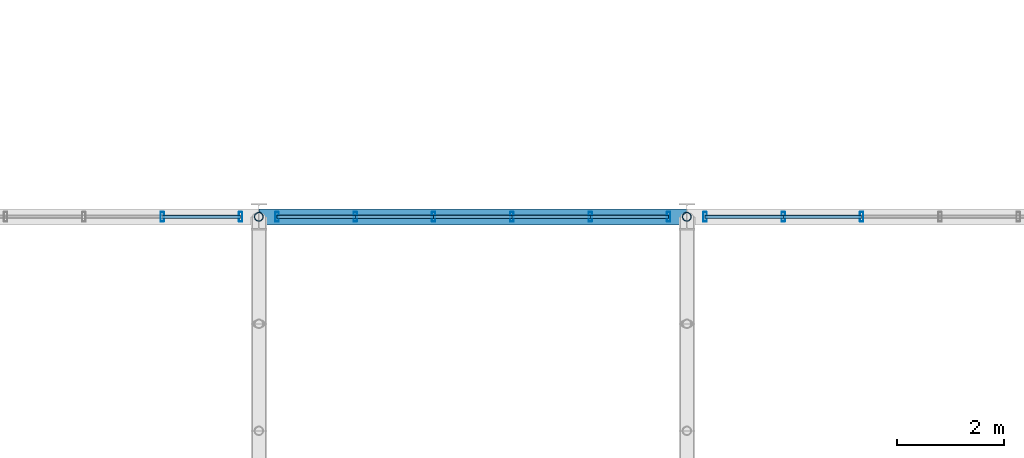
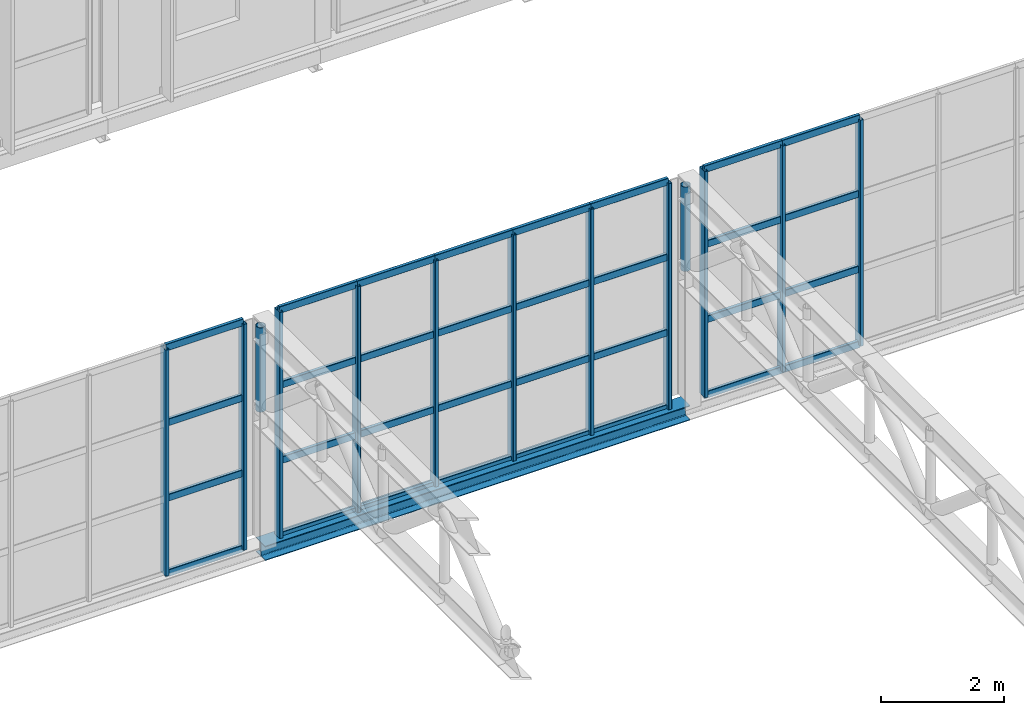
# One storey, part 90 of 143: 45 members, 1 beam, 3 elements without a shape of their own.
"""IFC4 building model written with IfcOpenShell, lengths in metres."""

from ifc_helpers import new_model, si_unit, derived_unit, direction, frame, origin, origin_2d, place, context, subcontext, project, spatial, hollow_rectangle, hollow_circle, i_section, extrude, material, material_profile, profile_set, type_object, element, aggregate, save


model = new_model("IFC4")

# Units and contexts
model_context = context("Model", 3, precision=1e-05, world=origin(), true_north=direction((0.0, 1.0)))
body_context = subcontext(model_context, "Body", "Model", "MODEL_VIEW")
ifc_project = project(units=[si_unit("LENGTHUNIT", "METRE"), si_unit("AREAUNIT", "SQUARE_METRE"), si_unit("VOLUMEUNIT", "CUBIC_METRE"), si_unit("PLANEANGLEUNIT", "RADIAN"), si_unit("MASSUNIT", "GRAM", prefix="KILO"), derived_unit("THERMALTRANSMITTANCEUNIT", [(si_unit("POWERUNIT", "WATT"), 1), (si_unit("LENGTHUNIT", "METRE"), -2), (si_unit("THERMODYNAMICTEMPERATUREUNIT", "KELVIN"), -1)])], contexts=[model_context])

# Site, building, storey
site_placement = place(None, origin())
site = spatial("IfcSite", under=ifc_project, at=site_placement, CompositionType="ELEMENT")
building_placement = place(site_placement, origin())
building = spatial("IfcBuilding", under=site, at=building_placement, Name="Keldorne Ridge Multi-Sports Centre", CompositionType="ELEMENT")
storey_placement = place(building_placement, frame((0.0, 0.0, 4.800048828125)))
storey = spatial("IfcBuildingStorey", under=building, at=storey_placement, Name="L01", CompositionType="ELEMENT", Elevation=4.800048828125)

# Beam
ifc_material_1 = material(Name="Steel S355", Category="steel")
ifc_material_profile_1 = material_profile(ifc_material_1, i_section(OverallWidth=0.300048828125, OverallDepth=0.2900390625, WebThickness=0.008544921875, FlangeThickness=0.013916015625, FilletRadius=0.027099609375, at=origin_2d()), Name="HEA 300")
ifc_profile_set_1 = profile_set([ifc_material_profile_1], Name="Steel S355")
beam_type = type_object("IfcBeamType", Name="BM-SP-04", PredefinedType="SPANDREL", material=ifc_profile_set_1)
beam_placement = place(storey_placement, frame((136.0, 54.0, -0.150146484375), z_axis=(1.0, 0.0, 0.0), x_axis=(0.0, 1.0, 0.0)))
element("IfcBeam", 1, at=beam_placement, inside=storey, type_object=beam_type, Name="Stacked Courts spandrel L01.54.5", PredefinedType="SPANDREL", context=body_context, shape_type="SweptSolid", body=[
    extrude(i_section(OverallWidth=0.300048828125, OverallDepth=0.2900390625, WebThickness=0.008544921875, FlangeThickness=0.013916015625, FilletRadius=0.027099609375, at=origin_2d()), origin(), (0.0, 0.0, 1.0), 8.0),
])

# Curtain wall, members
ifc_material_2 = material(Name="Anodized aluminium", Category="aluminium")
curtain_wall_type_1 = type_object("IfcCurtainWallType", Name="CW-CW-06", PredefinedType="NOTDEFINED", material=ifc_material_2)
curtain_wall_1_placement = place(storey_placement, origin())
curtain_wall_1 = element("IfcCurtainWall", 2, at=curtain_wall_1_placement, inside=storey, type_object=curtain_wall_type_1, Name="Lower Courts north clerestory 110", PredefinedType="NOTDEFINED")
ifc_material_profile_2 = material_profile(ifc_material_2, hollow_rectangle(XDim=0.06494140625, YDim=0.179931640625, WallThickness=0.00439453125, InnerFilletRadius=0.00439453125, OuterFilletRadius=0.009033203125, at=origin_2d()), Name="ALU MULLION 180x65x4.5")
ifc_profile_set_2 = profile_set([ifc_material_profile_2], Name="Anodized aluminium")
member_type_1 = type_object("IfcMemberType", Name="MEM-ML-01", PredefinedType="MULLION", material=ifc_profile_set_2)
member_1_placement = place(storey_placement, frame((135.659912109375, 54.0, 0.0), z_axis=(0.0, 0.0, 1.0), x_axis=(1.0, 0.0, 0.0)))
member_1 = element("IfcMember", 3, at=member_1_placement, type_object=member_type_1, Name="CW-110 vertical mullion 1", PredefinedType="MULLION", context=body_context, shape_type="SweptSolid", body=[
    extrude(hollow_rectangle(XDim=0.06494140625, YDim=0.179931640625, WallThickness=0.00439453125, InnerFilletRadius=0.00439453125, OuterFilletRadius=0.009033203125, at=origin_2d()), origin(), (0.0, 0.0, 1.0), 4.5),
])
member_2_placement = place(storey_placement, frame((134.196044921875, 54.0, 0.0), z_axis=(0.0, 0.0, 1.0), x_axis=(1.0, 0.0, 0.0)))
member_2 = element("IfcMember", 4, at=member_2_placement, type_object=member_type_1, Name="CW-110 vertical mullion 2", PredefinedType="MULLION", context=body_context, shape_type="SweptSolid", body=[
    extrude(hollow_rectangle(XDim=0.06494140625, YDim=0.179931640625, WallThickness=0.00439453125, InnerFilletRadius=0.00439453125, OuterFilletRadius=0.009033203125, at=origin_2d()), origin(), (0.0, 0.0, 1.0), 4.5),
])

curtain_wall_type_2 = type_object("IfcCurtainWallType", Name="CW-CW-04", PredefinedType="NOTDEFINED", material=ifc_material_2)
curtain_wall_2_placement = place(storey_placement, origin())
curtain_wall_2 = element("IfcCurtainWall", 5, at=curtain_wall_2_placement, inside=storey, type_object=curtain_wall_type_2, Name="Lower Courts north clerestory 116", PredefinedType="NOTDEFINED")
member_3_placement = place(storey_placement, frame((143.659912109375, 54.0, 0.0), z_axis=(0.0, 0.0, 1.0), x_axis=(1.0, 0.0, 0.0)))
member_3 = element("IfcMember", 6, at=member_3_placement, type_object=member_type_1, Name="CW-116 vertical mullion 1", PredefinedType="MULLION", context=body_context, shape_type="SweptSolid", body=[
    extrude(hollow_rectangle(XDim=0.06494140625, YDim=0.179931640625, WallThickness=0.00439453125, InnerFilletRadius=0.00439453125, OuterFilletRadius=0.009033203125, at=origin_2d()), origin(), (0.0, 0.0, 1.0), 4.5),
])
member_4_placement = place(storey_placement, frame((142.196044921875, 54.0, 0.0), z_axis=(0.0, 0.0, 1.0), x_axis=(1.0, 0.0, 0.0)))
member_4 = element("IfcMember", 7, at=member_4_placement, type_object=member_type_1, Name="CW-116 vertical mullion 2", PredefinedType="MULLION", context=body_context, shape_type="SweptSolid", body=[
    extrude(hollow_rectangle(XDim=0.06494140625, YDim=0.179931640625, WallThickness=0.00439453125, InnerFilletRadius=0.00439453125, OuterFilletRadius=0.009033203125, at=origin_2d()), origin(), (0.0, 0.0, 1.0), 4.5),
])
member_5_placement = place(storey_placement, frame((140.73193359375, 54.0, 0.0), z_axis=(0.0, 0.0, 1.0), x_axis=(1.0, 0.0, 0.0)))
member_5 = element("IfcMember", 8, at=member_5_placement, type_object=member_type_1, Name="CW-116 vertical mullion 3", PredefinedType="MULLION", context=body_context, shape_type="SweptSolid", body=[
    extrude(hollow_rectangle(XDim=0.06494140625, YDim=0.179931640625, WallThickness=0.00439453125, InnerFilletRadius=0.00439453125, OuterFilletRadius=0.009033203125, at=origin_2d()), origin(), (0.0, 0.0, 1.0), 4.5),
])
member_6_placement = place(storey_placement, frame((139.26806640625, 54.0, 0.0), z_axis=(0.0, 0.0, 1.0), x_axis=(1.0, 0.0, 0.0)))
member_6 = element("IfcMember", 9, at=member_6_placement, type_object=member_type_1, Name="CW-116 vertical mullion 4", PredefinedType="MULLION", context=body_context, shape_type="SweptSolid", body=[
    extrude(hollow_rectangle(XDim=0.06494140625, YDim=0.179931640625, WallThickness=0.00439453125, InnerFilletRadius=0.00439453125, OuterFilletRadius=0.009033203125, at=origin_2d()), origin(), (0.0, 0.0, 1.0), 4.5),
])
member_7_placement = place(storey_placement, frame((137.803955078125, 54.0, 0.0), z_axis=(0.0, 0.0, 1.0), x_axis=(1.0, 0.0, 0.0)))
member_7 = element("IfcMember", 10, at=member_7_placement, type_object=member_type_1, Name="CW-116 vertical mullion 5", PredefinedType="MULLION", context=body_context, shape_type="SweptSolid", body=[
    extrude(hollow_rectangle(XDim=0.06494140625, YDim=0.179931640625, WallThickness=0.00439453125, InnerFilletRadius=0.00439453125, OuterFilletRadius=0.009033203125, at=origin_2d()), origin(), (0.0, 0.0, 1.0), 4.5),
])
member_8_placement = place(storey_placement, frame((136.340087890625, 54.0, 0.0), z_axis=(0.0, 0.0, 1.0), x_axis=(1.0, 0.0, 0.0)))
member_8 = element("IfcMember", 11, at=member_8_placement, type_object=member_type_1, Name="CW-116 vertical mullion 6", PredefinedType="MULLION", context=body_context, shape_type="SweptSolid", body=[
    extrude(hollow_rectangle(XDim=0.06494140625, YDim=0.179931640625, WallThickness=0.00439453125, InnerFilletRadius=0.00439453125, OuterFilletRadius=0.009033203125, at=origin_2d()), origin(), (0.0, 0.0, 1.0), 4.5),
])

curtain_wall_type_3 = type_object("IfcCurtainWallType", Name="CW-CW-02", PredefinedType="NOTDEFINED", material=ifc_material_2)
curtain_wall_3_placement = place(storey_placement, origin())
curtain_wall_3 = element("IfcCurtainWall", 12, at=curtain_wall_3_placement, inside=storey, type_object=curtain_wall_type_3, Name="Lower Courts north clerestory 122", PredefinedType="NOTDEFINED")
member_9_placement = place(storey_placement, frame((147.26806640625, 54.0, 0.0), z_axis=(0.0, 0.0, 1.0), x_axis=(1.0, 0.0, 0.0)))
member_9 = element("IfcMember", 13, at=member_9_placement, type_object=member_type_1, Name="CW-122 vertical mullion 4", PredefinedType="MULLION", context=body_context, shape_type="SweptSolid", body=[
    extrude(hollow_rectangle(XDim=0.06494140625, YDim=0.179931640625, WallThickness=0.00439453125, InnerFilletRadius=0.00439453125, OuterFilletRadius=0.009033203125, at=origin_2d()), origin(), (0.0, 0.0, 1.0), 4.5),
])
member_10_placement = place(storey_placement, frame((145.803955078125, 54.0, 0.0), z_axis=(0.0, 0.0, 1.0), x_axis=(1.0, 0.0, 0.0)))
member_10 = element("IfcMember", 14, at=member_10_placement, type_object=member_type_1, Name="CW-122 vertical mullion 5", PredefinedType="MULLION", context=body_context, shape_type="SweptSolid", body=[
    extrude(hollow_rectangle(XDim=0.06494140625, YDim=0.179931640625, WallThickness=0.00439453125, InnerFilletRadius=0.00439453125, OuterFilletRadius=0.009033203125, at=origin_2d()), origin(), (0.0, 0.0, 1.0), 4.5),
])
member_11_placement = place(storey_placement, frame((144.340087890625, 54.0, 0.0), z_axis=(0.0, 0.0, 1.0), x_axis=(1.0, 0.0, 0.0)))
member_11 = element("IfcMember", 15, at=member_11_placement, type_object=member_type_1, Name="CW-122 vertical mullion 6", PredefinedType="MULLION", context=body_context, shape_type="SweptSolid", body=[
    extrude(hollow_rectangle(XDim=0.06494140625, YDim=0.179931640625, WallThickness=0.00439453125, InnerFilletRadius=0.00439453125, OuterFilletRadius=0.009033203125, at=origin_2d()), origin(), (0.0, 0.0, 1.0), 4.5),
])

# Member
ifc_material_profile_3 = material_profile(ifc_material_2, hollow_rectangle(XDim=0.06494140625, YDim=0.139892578125, WallThickness=0.00439453125, InnerFilletRadius=0.00439453125, OuterFilletRadius=0.009033203125, at=origin_2d()), Name="ALU TRANSOM 140x65x4.5")
ifc_profile_set_3 = profile_set([ifc_material_profile_3], Name="Anodized aluminium")
member_type_2 = type_object("IfcMemberType", Name="MEM-TR-01", PredefinedType="USERDEFINED", material=ifc_profile_set_3)
member_12_placement = place(storey_placement, frame((135.659912109375, 54.0, 0.0), z_axis=(-1.0, 0.0, 0.0), x_axis=(0.0, -1.0, 0.0)))
member_12 = element("IfcMember", 16, at=member_12_placement, type_object=member_type_2, Name="CW-110 transom 1.1", ObjectType="TRANSOM", PredefinedType="USERDEFINED", context=body_context, shape_type="SweptSolid", body=[
    extrude(hollow_rectangle(XDim=0.06494140625, YDim=0.139892578125, WallThickness=0.00439453125, InnerFilletRadius=0.00439453125, OuterFilletRadius=0.009033203125, at=origin_2d()), origin(), (0.0, 0.0, 1.0), 1.4638671875),
])

member_13_placement = place(storey_placement, frame((135.659912109375, 54.0, 1.5), z_axis=(-1.0, 0.0, 0.0), x_axis=(0.0, -1.0, 0.0)))
member_13 = element("IfcMember", 17, at=member_13_placement, type_object=member_type_2, Name="CW-110 transom 1.2", ObjectType="TRANSOM", PredefinedType="USERDEFINED", context=body_context, shape_type="SweptSolid", body=[
    extrude(hollow_rectangle(XDim=0.06494140625, YDim=0.139892578125, WallThickness=0.00439453125, InnerFilletRadius=0.00439453125, OuterFilletRadius=0.009033203125, at=origin_2d()), origin(), (0.0, 0.0, 1.0), 1.4638671875),
])

member_14_placement = place(storey_placement, frame((135.659912109375, 54.0, 3.0), z_axis=(-1.0, 0.0, 0.0), x_axis=(0.0, -1.0, 0.0)))
member_14 = element("IfcMember", 18, at=member_14_placement, type_object=member_type_2, Name="CW-110 transom 1.3", ObjectType="TRANSOM", PredefinedType="USERDEFINED", context=body_context, shape_type="SweptSolid", body=[
    extrude(hollow_rectangle(XDim=0.06494140625, YDim=0.139892578125, WallThickness=0.00439453125, InnerFilletRadius=0.00439453125, OuterFilletRadius=0.009033203125, at=origin_2d()), origin(), (0.0, 0.0, 1.0), 1.4638671875),
])

member_15_placement = place(storey_placement, frame((135.659912109375, 54.0, 4.5), z_axis=(-1.0, 0.0, 0.0), x_axis=(0.0, -1.0, 0.0)))
member_15 = element("IfcMember", 19, at=member_15_placement, type_object=member_type_2, Name="CW-110 transom 1.4", ObjectType="TRANSOM", PredefinedType="USERDEFINED", context=body_context, shape_type="SweptSolid", body=[
    extrude(hollow_rectangle(XDim=0.06494140625, YDim=0.139892578125, WallThickness=0.00439453125, InnerFilletRadius=0.00439453125, OuterFilletRadius=0.009033203125, at=origin_2d()), origin(), (0.0, 0.0, 1.0), 1.4638671875),
])

aggregate(curtain_wall_1, [member_1, member_2, member_12, member_13, member_14, member_15])

member_16_placement = place(storey_placement, frame((143.659912109375, 54.0, 0.0), z_axis=(-1.0, 0.0, 0.0), x_axis=(0.0, -1.0, 0.0)))
member_16 = element("IfcMember", 20, at=member_16_placement, type_object=member_type_2, Name="CW-116 transom 1.1", ObjectType="TRANSOM", PredefinedType="USERDEFINED", context=body_context, shape_type="SweptSolid", body=[
    extrude(hollow_rectangle(XDim=0.06494140625, YDim=0.139892578125, WallThickness=0.00439453125, InnerFilletRadius=0.00439453125, OuterFilletRadius=0.009033203125, at=origin_2d()), origin(), (0.0, 0.0, 1.0), 1.4638671875),
])

member_17_placement = place(storey_placement, frame((143.659912109375, 54.0, 1.5), z_axis=(-1.0, 0.0, 0.0), x_axis=(0.0, -1.0, 0.0)))
member_17 = element("IfcMember", 21, at=member_17_placement, type_object=member_type_2, Name="CW-116 transom 1.2", ObjectType="TRANSOM", PredefinedType="USERDEFINED", context=body_context, shape_type="SweptSolid", body=[
    extrude(hollow_rectangle(XDim=0.06494140625, YDim=0.139892578125, WallThickness=0.00439453125, InnerFilletRadius=0.00439453125, OuterFilletRadius=0.009033203125, at=origin_2d()), origin(), (0.0, 0.0, 1.0), 1.4638671875),
])

member_18_placement = place(storey_placement, frame((143.659912109375, 54.0, 3.0), z_axis=(-1.0, 0.0, 0.0), x_axis=(0.0, -1.0, 0.0)))
member_18 = element("IfcMember", 22, at=member_18_placement, type_object=member_type_2, Name="CW-116 transom 1.3", ObjectType="TRANSOM", PredefinedType="USERDEFINED", context=body_context, shape_type="SweptSolid", body=[
    extrude(hollow_rectangle(XDim=0.06494140625, YDim=0.139892578125, WallThickness=0.00439453125, InnerFilletRadius=0.00439453125, OuterFilletRadius=0.009033203125, at=origin_2d()), origin(), (0.0, 0.0, 1.0), 1.4638671875),
])

member_19_placement = place(storey_placement, frame((143.659912109375, 54.0, 4.5), z_axis=(-1.0, 0.0, 0.0), x_axis=(0.0, -1.0, 0.0)))
member_19 = element("IfcMember", 23, at=member_19_placement, type_object=member_type_2, Name="CW-116 transom 1.4", ObjectType="TRANSOM", PredefinedType="USERDEFINED", context=body_context, shape_type="SweptSolid", body=[
    extrude(hollow_rectangle(XDim=0.06494140625, YDim=0.139892578125, WallThickness=0.00439453125, InnerFilletRadius=0.00439453125, OuterFilletRadius=0.009033203125, at=origin_2d()), origin(), (0.0, 0.0, 1.0), 1.4638671875),
])

member_20_placement = place(storey_placement, frame((142.196044921875, 54.0, 0.0), z_axis=(-1.0, 0.0, 0.0), x_axis=(0.0, -1.0, 0.0)))
member_20 = element("IfcMember", 24, at=member_20_placement, type_object=member_type_2, Name="CW-116 transom 2.1", ObjectType="TRANSOM", PredefinedType="USERDEFINED", context=body_context, shape_type="SweptSolid", body=[
    extrude(hollow_rectangle(XDim=0.06494140625, YDim=0.139892578125, WallThickness=0.00439453125, InnerFilletRadius=0.00439453125, OuterFilletRadius=0.009033203125, at=origin_2d()), origin(), (0.0, 0.0, 1.0), 1.464111328125),
])

member_21_placement = place(storey_placement, frame((142.196044921875, 54.0, 1.5), z_axis=(-1.0, 0.0, 0.0), x_axis=(0.0, -1.0, 0.0)))
member_21 = element("IfcMember", 25, at=member_21_placement, type_object=member_type_2, Name="CW-116 transom 2.2", ObjectType="TRANSOM", PredefinedType="USERDEFINED", context=body_context, shape_type="SweptSolid", body=[
    extrude(hollow_rectangle(XDim=0.06494140625, YDim=0.139892578125, WallThickness=0.00439453125, InnerFilletRadius=0.00439453125, OuterFilletRadius=0.009033203125, at=origin_2d()), origin(), (0.0, 0.0, 1.0), 1.464111328125),
])

member_22_placement = place(storey_placement, frame((142.196044921875, 54.0, 3.0), z_axis=(-1.0, 0.0, 0.0), x_axis=(0.0, -1.0, 0.0)))
member_22 = element("IfcMember", 26, at=member_22_placement, type_object=member_type_2, Name="CW-116 transom 2.3", ObjectType="TRANSOM", PredefinedType="USERDEFINED", context=body_context, shape_type="SweptSolid", body=[
    extrude(hollow_rectangle(XDim=0.06494140625, YDim=0.139892578125, WallThickness=0.00439453125, InnerFilletRadius=0.00439453125, OuterFilletRadius=0.009033203125, at=origin_2d()), origin(), (0.0, 0.0, 1.0), 1.464111328125),
])

member_23_placement = place(storey_placement, frame((142.196044921875, 54.0, 4.5), z_axis=(-1.0, 0.0, 0.0), x_axis=(0.0, -1.0, 0.0)))
member_23 = element("IfcMember", 27, at=member_23_placement, type_object=member_type_2, Name="CW-116 transom 2.4", ObjectType="TRANSOM", PredefinedType="USERDEFINED", context=body_context, shape_type="SweptSolid", body=[
    extrude(hollow_rectangle(XDim=0.06494140625, YDim=0.139892578125, WallThickness=0.00439453125, InnerFilletRadius=0.00439453125, OuterFilletRadius=0.009033203125, at=origin_2d()), origin(), (0.0, 0.0, 1.0), 1.464111328125),
])

member_24_placement = place(storey_placement, frame((140.73193359375, 54.0, 0.0), z_axis=(-1.0, 0.0, 0.0), x_axis=(0.0, -1.0, 0.0)))
member_24 = element("IfcMember", 28, at=member_24_placement, type_object=member_type_2, Name="CW-116 transom 3.1", ObjectType="TRANSOM", PredefinedType="USERDEFINED", context=body_context, shape_type="SweptSolid", body=[
    extrude(hollow_rectangle(XDim=0.06494140625, YDim=0.139892578125, WallThickness=0.00439453125, InnerFilletRadius=0.00439453125, OuterFilletRadius=0.009033203125, at=origin_2d()), origin(), (0.0, 0.0, 1.0), 1.4638671875),
])

member_25_placement = place(storey_placement, frame((140.73193359375, 54.0, 1.5), z_axis=(-1.0, 0.0, 0.0), x_axis=(0.0, -1.0, 0.0)))
member_25 = element("IfcMember", 29, at=member_25_placement, type_object=member_type_2, Name="CW-116 transom 3.2", ObjectType="TRANSOM", PredefinedType="USERDEFINED", context=body_context, shape_type="SweptSolid", body=[
    extrude(hollow_rectangle(XDim=0.06494140625, YDim=0.139892578125, WallThickness=0.00439453125, InnerFilletRadius=0.00439453125, OuterFilletRadius=0.009033203125, at=origin_2d()), origin(), (0.0, 0.0, 1.0), 1.4638671875),
])

member_26_placement = place(storey_placement, frame((140.73193359375, 54.0, 3.0), z_axis=(-1.0, 0.0, 0.0), x_axis=(0.0, -1.0, 0.0)))
member_26 = element("IfcMember", 30, at=member_26_placement, type_object=member_type_2, Name="CW-116 transom 3.3", ObjectType="TRANSOM", PredefinedType="USERDEFINED", context=body_context, shape_type="SweptSolid", body=[
    extrude(hollow_rectangle(XDim=0.06494140625, YDim=0.139892578125, WallThickness=0.00439453125, InnerFilletRadius=0.00439453125, OuterFilletRadius=0.009033203125, at=origin_2d()), origin(), (0.0, 0.0, 1.0), 1.4638671875),
])

member_27_placement = place(storey_placement, frame((140.73193359375, 54.0, 4.5), z_axis=(-1.0, 0.0, 0.0), x_axis=(0.0, -1.0, 0.0)))
member_27 = element("IfcMember", 31, at=member_27_placement, type_object=member_type_2, Name="CW-116 transom 3.4", ObjectType="TRANSOM", PredefinedType="USERDEFINED", context=body_context, shape_type="SweptSolid", body=[
    extrude(hollow_rectangle(XDim=0.06494140625, YDim=0.139892578125, WallThickness=0.00439453125, InnerFilletRadius=0.00439453125, OuterFilletRadius=0.009033203125, at=origin_2d()), origin(), (0.0, 0.0, 1.0), 1.4638671875),
])

member_28_placement = place(storey_placement, frame((139.26806640625, 54.0, 0.0), z_axis=(-1.0, 0.0, 0.0), x_axis=(0.0, -1.0, 0.0)))
member_28 = element("IfcMember", 32, at=member_28_placement, type_object=member_type_2, Name="CW-116 transom 4.1", ObjectType="TRANSOM", PredefinedType="USERDEFINED", context=body_context, shape_type="SweptSolid", body=[
    extrude(hollow_rectangle(XDim=0.06494140625, YDim=0.139892578125, WallThickness=0.00439453125, InnerFilletRadius=0.00439453125, OuterFilletRadius=0.009033203125, at=origin_2d()), origin(), (0.0, 0.0, 1.0), 1.464111328125),
])

member_29_placement = place(storey_placement, frame((139.26806640625, 54.0, 1.5), z_axis=(-1.0, 0.0, 0.0), x_axis=(0.0, -1.0, 0.0)))
member_29 = element("IfcMember", 33, at=member_29_placement, type_object=member_type_2, Name="CW-116 transom 4.2", ObjectType="TRANSOM", PredefinedType="USERDEFINED", context=body_context, shape_type="SweptSolid", body=[
    extrude(hollow_rectangle(XDim=0.06494140625, YDim=0.139892578125, WallThickness=0.00439453125, InnerFilletRadius=0.00439453125, OuterFilletRadius=0.009033203125, at=origin_2d()), origin(), (0.0, 0.0, 1.0), 1.464111328125),
])

member_30_placement = place(storey_placement, frame((139.26806640625, 54.0, 3.0), z_axis=(-1.0, 0.0, 0.0), x_axis=(0.0, -1.0, 0.0)))
member_30 = element("IfcMember", 34, at=member_30_placement, type_object=member_type_2, Name="CW-116 transom 4.3", ObjectType="TRANSOM", PredefinedType="USERDEFINED", context=body_context, shape_type="SweptSolid", body=[
    extrude(hollow_rectangle(XDim=0.06494140625, YDim=0.139892578125, WallThickness=0.00439453125, InnerFilletRadius=0.00439453125, OuterFilletRadius=0.009033203125, at=origin_2d()), origin(), (0.0, 0.0, 1.0), 1.464111328125),
])

member_31_placement = place(storey_placement, frame((139.26806640625, 54.0, 4.5), z_axis=(-1.0, 0.0, 0.0), x_axis=(0.0, -1.0, 0.0)))
member_31 = element("IfcMember", 35, at=member_31_placement, type_object=member_type_2, Name="CW-116 transom 4.4", ObjectType="TRANSOM", PredefinedType="USERDEFINED", context=body_context, shape_type="SweptSolid", body=[
    extrude(hollow_rectangle(XDim=0.06494140625, YDim=0.139892578125, WallThickness=0.00439453125, InnerFilletRadius=0.00439453125, OuterFilletRadius=0.009033203125, at=origin_2d()), origin(), (0.0, 0.0, 1.0), 1.464111328125),
])

member_32_placement = place(storey_placement, frame((137.803955078125, 54.0, 0.0), z_axis=(-1.0, 0.0, 0.0), x_axis=(0.0, -1.0, 0.0)))
member_32 = element("IfcMember", 36, at=member_32_placement, type_object=member_type_2, Name="CW-116 transom 5.1", ObjectType="TRANSOM", PredefinedType="USERDEFINED", context=body_context, shape_type="SweptSolid", body=[
    extrude(hollow_rectangle(XDim=0.06494140625, YDim=0.139892578125, WallThickness=0.00439453125, InnerFilletRadius=0.00439453125, OuterFilletRadius=0.009033203125, at=origin_2d()), origin(), (0.0, 0.0, 1.0), 1.4638671875),
])

member_33_placement = place(storey_placement, frame((137.803955078125, 54.0, 1.5), z_axis=(-1.0, 0.0, 0.0), x_axis=(0.0, -1.0, 0.0)))
member_33 = element("IfcMember", 37, at=member_33_placement, type_object=member_type_2, Name="CW-116 transom 5.2", ObjectType="TRANSOM", PredefinedType="USERDEFINED", context=body_context, shape_type="SweptSolid", body=[
    extrude(hollow_rectangle(XDim=0.06494140625, YDim=0.139892578125, WallThickness=0.00439453125, InnerFilletRadius=0.00439453125, OuterFilletRadius=0.009033203125, at=origin_2d()), origin(), (0.0, 0.0, 1.0), 1.4638671875),
])

member_34_placement = place(storey_placement, frame((137.803955078125, 54.0, 3.0), z_axis=(-1.0, 0.0, 0.0), x_axis=(0.0, -1.0, 0.0)))
member_34 = element("IfcMember", 38, at=member_34_placement, type_object=member_type_2, Name="CW-116 transom 5.3", ObjectType="TRANSOM", PredefinedType="USERDEFINED", context=body_context, shape_type="SweptSolid", body=[
    extrude(hollow_rectangle(XDim=0.06494140625, YDim=0.139892578125, WallThickness=0.00439453125, InnerFilletRadius=0.00439453125, OuterFilletRadius=0.009033203125, at=origin_2d()), origin(), (0.0, 0.0, 1.0), 1.4638671875),
])

member_35_placement = place(storey_placement, frame((137.803955078125, 54.0, 4.5), z_axis=(-1.0, 0.0, 0.0), x_axis=(0.0, -1.0, 0.0)))
member_35 = element("IfcMember", 39, at=member_35_placement, type_object=member_type_2, Name="CW-116 transom 5.4", ObjectType="TRANSOM", PredefinedType="USERDEFINED", context=body_context, shape_type="SweptSolid", body=[
    extrude(hollow_rectangle(XDim=0.06494140625, YDim=0.139892578125, WallThickness=0.00439453125, InnerFilletRadius=0.00439453125, OuterFilletRadius=0.009033203125, at=origin_2d()), origin(), (0.0, 0.0, 1.0), 1.4638671875),
])

aggregate(curtain_wall_2, [member_3, member_4, member_5, member_6, member_7, member_8, member_16, member_17, member_18, member_19, member_20, member_21, member_22, member_23, member_24, member_25, member_26, member_27, member_28, member_29, member_30, member_31, member_32, member_33, member_34, member_35])

member_36_placement = place(storey_placement, frame((147.26806640625, 54.0, 0.0), z_axis=(-1.0, 0.0, 0.0), x_axis=(0.0, -1.0, 0.0)))
member_36 = element("IfcMember", 40, at=member_36_placement, type_object=member_type_2, Name="CW-122 transom 4.1", ObjectType="TRANSOM", PredefinedType="USERDEFINED", context=body_context, shape_type="SweptSolid", body=[
    extrude(hollow_rectangle(XDim=0.06494140625, YDim=0.139892578125, WallThickness=0.00439453125, InnerFilletRadius=0.00439453125, OuterFilletRadius=0.009033203125, at=origin_2d()), origin(), (0.0, 0.0, 1.0), 1.464111328125),
])

member_37_placement = place(storey_placement, frame((147.26806640625, 54.0, 1.5), z_axis=(-1.0, 0.0, 0.0), x_axis=(0.0, -1.0, 0.0)))
member_37 = element("IfcMember", 41, at=member_37_placement, type_object=member_type_2, Name="CW-122 transom 4.2", ObjectType="TRANSOM", PredefinedType="USERDEFINED", context=body_context, shape_type="SweptSolid", body=[
    extrude(hollow_rectangle(XDim=0.06494140625, YDim=0.139892578125, WallThickness=0.00439453125, InnerFilletRadius=0.00439453125, OuterFilletRadius=0.009033203125, at=origin_2d()), origin(), (0.0, 0.0, 1.0), 1.464111328125),
])

member_38_placement = place(storey_placement, frame((147.26806640625, 54.0, 3.0), z_axis=(-1.0, 0.0, 0.0), x_axis=(0.0, -1.0, 0.0)))
member_38 = element("IfcMember", 42, at=member_38_placement, type_object=member_type_2, Name="CW-122 transom 4.3", ObjectType="TRANSOM", PredefinedType="USERDEFINED", context=body_context, shape_type="SweptSolid", body=[
    extrude(hollow_rectangle(XDim=0.06494140625, YDim=0.139892578125, WallThickness=0.00439453125, InnerFilletRadius=0.00439453125, OuterFilletRadius=0.009033203125, at=origin_2d()), origin(), (0.0, 0.0, 1.0), 1.464111328125),
])

member_39_placement = place(storey_placement, frame((147.26806640625, 54.0, 4.5), z_axis=(-1.0, 0.0, 0.0), x_axis=(0.0, -1.0, 0.0)))
member_39 = element("IfcMember", 43, at=member_39_placement, type_object=member_type_2, Name="CW-122 transom 4.4", ObjectType="TRANSOM", PredefinedType="USERDEFINED", context=body_context, shape_type="SweptSolid", body=[
    extrude(hollow_rectangle(XDim=0.06494140625, YDim=0.139892578125, WallThickness=0.00439453125, InnerFilletRadius=0.00439453125, OuterFilletRadius=0.009033203125, at=origin_2d()), origin(), (0.0, 0.0, 1.0), 1.464111328125),
])

member_40_placement = place(storey_placement, frame((145.803955078125, 54.0, 0.0), z_axis=(-1.0, 0.0, 0.0), x_axis=(0.0, -1.0, 0.0)))
member_40 = element("IfcMember", 44, at=member_40_placement, type_object=member_type_2, Name="CW-122 transom 5.1", ObjectType="TRANSOM", PredefinedType="USERDEFINED", context=body_context, shape_type="SweptSolid", body=[
    extrude(hollow_rectangle(XDim=0.06494140625, YDim=0.139892578125, WallThickness=0.00439453125, InnerFilletRadius=0.00439453125, OuterFilletRadius=0.009033203125, at=origin_2d()), origin(), (0.0, 0.0, 1.0), 1.4638671875),
])

member_41_placement = place(storey_placement, frame((145.803955078125, 54.0, 1.5), z_axis=(-1.0, 0.0, 0.0), x_axis=(0.0, -1.0, 0.0)))
member_41 = element("IfcMember", 45, at=member_41_placement, type_object=member_type_2, Name="CW-122 transom 5.2", ObjectType="TRANSOM", PredefinedType="USERDEFINED", context=body_context, shape_type="SweptSolid", body=[
    extrude(hollow_rectangle(XDim=0.06494140625, YDim=0.139892578125, WallThickness=0.00439453125, InnerFilletRadius=0.00439453125, OuterFilletRadius=0.009033203125, at=origin_2d()), origin(), (0.0, 0.0, 1.0), 1.4638671875),
])

member_42_placement = place(storey_placement, frame((145.803955078125, 54.0, 3.0), z_axis=(-1.0, 0.0, 0.0), x_axis=(0.0, -1.0, 0.0)))
member_42 = element("IfcMember", 46, at=member_42_placement, type_object=member_type_2, Name="CW-122 transom 5.3", ObjectType="TRANSOM", PredefinedType="USERDEFINED", context=body_context, shape_type="SweptSolid", body=[
    extrude(hollow_rectangle(XDim=0.06494140625, YDim=0.139892578125, WallThickness=0.00439453125, InnerFilletRadius=0.00439453125, OuterFilletRadius=0.009033203125, at=origin_2d()), origin(), (0.0, 0.0, 1.0), 1.4638671875),
])

member_43_placement = place(storey_placement, frame((145.803955078125, 54.0, 4.5), z_axis=(-1.0, 0.0, 0.0), x_axis=(0.0, -1.0, 0.0)))
member_43 = element("IfcMember", 47, at=member_43_placement, type_object=member_type_2, Name="CW-122 transom 5.4", ObjectType="TRANSOM", PredefinedType="USERDEFINED", context=body_context, shape_type="SweptSolid", body=[
    extrude(hollow_rectangle(XDim=0.06494140625, YDim=0.139892578125, WallThickness=0.00439453125, InnerFilletRadius=0.00439453125, OuterFilletRadius=0.009033203125, at=origin_2d()), origin(), (0.0, 0.0, 1.0), 1.4638671875),
])

aggregate(curtain_wall_3, [member_9, member_10, member_11, member_36, member_37, member_38, member_39, member_40, member_41, member_42, member_43])

# Members
ifc_material_profile_4 = material_profile(ifc_material_1, hollow_circle(Radius=0.084228515625, WallThickness=0.010009765625, at=origin_2d()), Name="CHS 168.3x10")
ifc_profile_set_4 = profile_set([ifc_material_profile_4], Name="Steel S355")
member_type_3 = type_object("IfcMemberType", Name="MEM-TV-01", PredefinedType="STRUT", material=ifc_profile_set_4)
for number, where, z_axis, x_axis, name in (
    (48, (136.0, 54.0, 2.6298828125), (0.0, 0.0, 1.0), (1.0, 0.0, 0.0), "Stacked Courts Warren TRUSS WT-L02-05 end post 24"),
    (49, (144.0, 54.0, 2.6298828125), (0.0, 0.0, 1.0), (1.0, 0.0, 0.0), "Stacked Courts Warren TRUSS WT-L02-06 end post 24"),
):
    element("IfcMember", number, at=place(storey_placement, frame(where, z_axis=z_axis, x_axis=x_axis)), inside=storey, type_object=member_type_3, Name=name, PredefinedType="STRUT", context=body_context, shape_type="SweptSolid", body=[
        extrude(hollow_circle(Radius=0.084228515625, WallThickness=0.010009765625, at=origin_2d()), origin(), (0.0, 0.0, 1.0), 1.68017578125),
    ])

save(model, "model.ifc")
